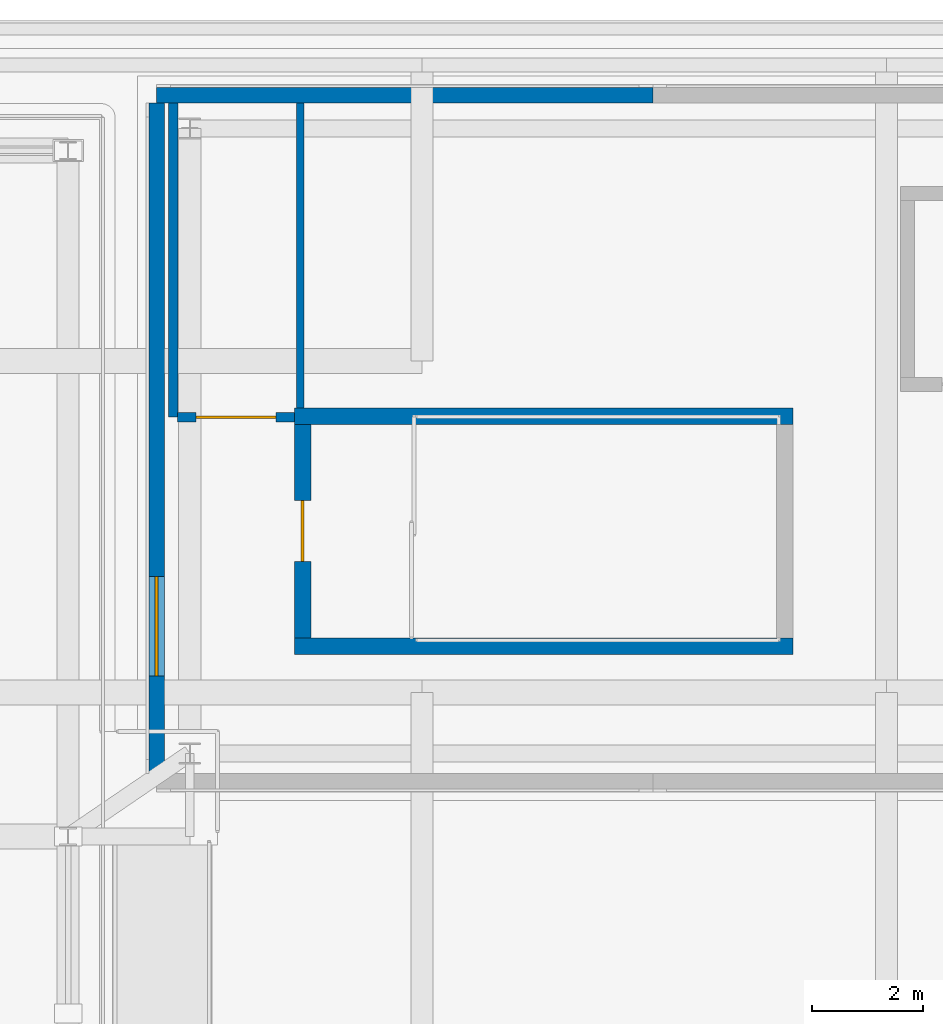
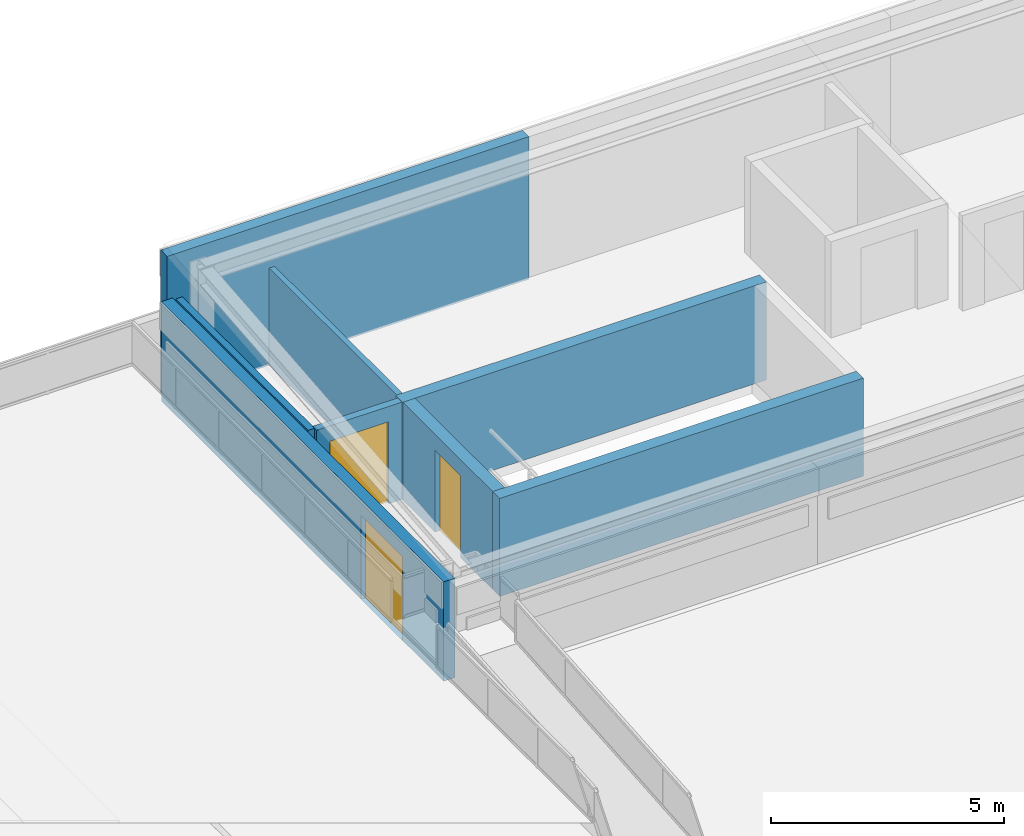
# One storey, part 8 of 14: 8 walls, 3 doors, 3 openings.
"""IFC4 building model written with IfcOpenShell, lengths in metres."""

from ifc_helpers import new_model, si_unit, direction, frame, frame_2d, origin, place, context, subcontext, project, spatial, rectangle, extrude, material, layer, layer_set, type_object, element, fill, save


model = new_model("IFC4")

# Units and contexts
model_context = context("Model", 3, precision=1e-05, world=origin(), true_north=direction((0.0, 1.0)))
body_context = subcontext(model_context, "Body", "Model", "MODEL_VIEW")
ifc_project = project(units=[si_unit("LENGTHUNIT", "METRE"), si_unit("AREAUNIT", "SQUARE_METRE"), si_unit("VOLUMEUNIT", "CUBIC_METRE"), si_unit("PLANEANGLEUNIT", "RADIAN"), si_unit("MASSUNIT", "GRAM", prefix="KILO")], contexts=[model_context])

# Site, building, storey
site_placement = place(None, origin())
site = spatial("IfcSite", under=ifc_project, at=site_placement, CompositionType="ELEMENT")
building_placement = place(site_placement, origin())
building = spatial("IfcBuilding", under=site, at=building_placement, Name="Selatvlak General Hospital", CompositionType="ELEMENT")
storey_placement = place(building_placement, frame((0.0, 0.0, 39.449951171875)))
storey = spatial("IfcBuildingStorey", under=building, at=storey_placement, Name="RF", CompositionType="ELEMENT", Elevation=39.449951171875)

# Wall
ifc_material_1 = material(Name="Precast concrete C40/50 - white Bauhaus spandrel", Category="concrete")
ifc_layer_1 = layer(ifc_material_1, 0.280029296875, Name="Precast concrete C40/50 - white Bauhaus spandrel", Category="concrete")
ifc_layer_set_1 = layer_set([ifc_layer_1], Name="Precast concrete C40/50 - white Bauhaus spandrel")
wall_type_1 = type_object("IfcWallType", Name="WALL-EW-02", PredefinedType="SOLIDWALL", material=ifc_layer_set_1)
wall_1_placement = place(storey_placement, frame((94.1708984375, 118.800048828125, 0.0), z_axis=(0.0, 0.0, 1.0), x_axis=(-1.0, 0.0, 0.0)))
element("IfcWall", 1, at=wall_1_placement, inside=storey, type_object=wall_type_1, Name="RF penthouse PENT-E wall N7", PredefinedType="SOLIDWALL", context=body_context, shape_type="SweptSolid", body=[
    extrude(rectangle(XDim=8.970947265625, YDim=0.280029296875, at=frame_2d((4.4853515625, 0.0))), origin(), (0.0, 0.0, 1.0), 3.739990234375),
])

# Wall, opening, door
wall_2_placement = place(storey_placement, frame((85.199951171875, 118.657958984375, 0.0), z_axis=(0.0, 0.0, 1.0), x_axis=(0.0, -1.0, 0.0)))
wall_2 = element("IfcWall", 2, at=wall_2_placement, inside=storey, type_object=wall_type_1, Name="RF penthouse PENT-E wall W1", PredefinedType="SOLIDWALL", context=body_context, shape_type="SweptSolid", body=[
    extrude(rectangle(XDim=12.115966796875, YDim=0.280029296875, at=frame_2d((6.05810546875, 0.0))), origin(), (0.0, 0.0, 1.0), 2.608154296875),
])
opening_1_placement = place(wall_2_placement, frame((10.358154296875, 0.0, 0.0), z_axis=(0.0, 0.0, 1.0), x_axis=(-1.0, 0.0, 0.0)))
opening_1 = element("IfcOpeningElement", 3, at=opening_1_placement, cuts=wall_2, Name="Opening DE-04", PredefinedType="OPENING", context=body_context, shape_type="SweptSolid", body=[
    extrude(rectangle(XDim=1.800048828125, YDim=2.199951171875, at=frame_2d((0.89990234375, 1.10009765625))), frame((0.0, 0.14990234375, 0.0), z_axis=(0.0, -1.0, 0.0), x_axis=(1.0, 0.0, 0.0)), (0.0, 0.0, 1.0), 0.300048828125),
])
ifc_material_2 = material(Name="Anodised aluminium terrace double door", Category="aluminium")
door_type_1 = type_object("IfcDoorType", Name="DOOR-DE-04", OperationType="DOUBLE_DOOR_SINGLE_SWING", PredefinedType="DOOR", material=ifc_material_2)
door_1_placement = place(opening_1_placement, origin())
door_1 = element("IfcDoor", 4, at=door_1_placement, inside=storey, type_object=door_type_1, Name="Emergency helipad trauma access east double door", OperationType="DOUBLE_DOOR_SINGLE_SWING", OverallHeight=2.199951171875, OverallWidth=1.800048828125, PredefinedType="DOOR", context=body_context, shape_type="SweptSolid", body=[
    extrude(rectangle(XDim=1.800048828125, YDim=2.199951171875, at=frame_2d((0.89990234375, 1.10009765625))), frame((0.0, 0.02490234375, 0.0), z_axis=(0.0, -1.0, 0.0), x_axis=(1.0, 0.0, 0.0)), (0.0, 0.0, 1.0), 0.050048828125),
])
fill(opening_1, door_1)

ifc_material_3 = material(Name="Acoustic gypsum stud partition")
ifc_layer_2 = layer(ifc_material_3, 0.179931640625, Name="Acoustic gypsum stud partition")
ifc_layer_set_2 = layer_set([ifc_layer_2], Name="Acoustic gypsum stud partition")
wall_type_2 = type_object("IfcWallType", Name="WALL-PT-01", PredefinedType="PARTITIONING", material=ifc_layer_set_2)
wall_3_placement = place(storey_placement, frame((87.68994140625, 112.97998046875, 0.0), z_axis=(0.0, 0.0, 1.0), x_axis=(-1.0, 0.0, 0.0)))
wall_3 = element("IfcWall", 5, at=wall_3_placement, inside=storey, type_object=wall_type_2, Name="RF clinical partition PT-RF-2241", PredefinedType="PARTITIONING", context=body_context, shape_type="SweptSolid", body=[
    extrude(rectangle(XDim=2.11083984375, YDim=0.179931640625, at=frame_2d((1.055419921875, 0.0))), origin(), (0.0, 0.0, 1.0), 2.550048828125),
])
opening_2_placement = place(wall_3_placement, frame((0.3310546875, 0.0, 0.0)))
opening_2 = element("IfcOpeningElement", 6, at=opening_2_placement, cuts=wall_3, Name="Opening D-12", PredefinedType="OPENING", context=body_context, shape_type="SweptSolid", body=[
    extrude(rectangle(XDim=1.449951171875, YDim=2.14990234375, at=frame_2d((0.72509765625, 1.074951171875))), frame((0.0, 0.099853515625, 0.0), z_axis=(0.0, -1.0, 0.0), x_axis=(1.0, 0.0, 0.0)), (0.0, 0.0, 1.0), 0.199951171875),
])
ifc_material_4 = material(Name="Isolation anteroom door")
door_type_2 = type_object("IfcDoorType", Name="DOOR-D-12", OperationType="NOTDEFINED", PredefinedType="DOOR", material=ifc_material_4)
door_2_placement = place(opening_2_placement, origin())
door_2 = element("IfcDoor", 7, at=door_2_placement, inside=storey, type_object=door_type_2, Name="RF Biomedical Telemetry Control Office door", OperationType="SINGLE_SWING_RIGHT", OverallHeight=2.14990234375, OverallWidth=1.449951171875, PredefinedType="DOOR", context=body_context, shape_type="SweptSolid", body=[
    extrude(rectangle(XDim=1.449951171875, YDim=2.14990234375, at=frame_2d((0.72509765625, 1.074951171875))), frame((0.0, 0.02490234375, 0.0), z_axis=(0.0, -1.0, 0.0), x_axis=(1.0, 0.0, 0.0)), (0.0, 0.0, 1.0), 0.050048828125),
])
fill(opening_2, door_2)

# Walls
ifc_layer_3 = layer(ifc_material_3, 0.1650390625, Name="Acoustic gypsum stud partition")
ifc_layer_set_3 = layer_set([ifc_layer_3], Name="Acoustic gypsum stud partition")
wall_type_3 = type_object("IfcWallType", Name="WALL-PT-02", PredefinedType="PARTITIONING", material=ifc_layer_set_3)
wall_4_placement = place(storey_placement, frame((85.5, 112.97998046875, 0.0), z_axis=(0.0, 0.0, 1.0), x_axis=(0.0, 1.0, 0.0)))
element("IfcWall", 8, at=wall_4_placement, inside=storey, type_object=wall_type_3, Name="RF clinical partition PT-RF-2239", PredefinedType="PARTITIONING", context=body_context, shape_type="SweptSolid", body=[
    extrude(rectangle(XDim=5.68310546875, YDim=0.1650390625, at=frame_2d((2.841552734375, 0.0))), origin(), (0.0, 0.0, 1.0), 2.550048828125),
])
ifc_material_5 = material(Name="Moisture-resistant clinical partition")
ifc_layer_4 = layer(ifc_material_5, 0.135009765625, Name="Moisture-resistant clinical partition")
ifc_layer_set_4 = layer_set([ifc_layer_4], Name="Moisture-resistant clinical partition")
wall_type_4 = type_object("IfcWallType", Name="WALL-PT-04", PredefinedType="PARTITIONING", material=ifc_layer_set_4)
wall_5_placement = place(storey_placement, frame((87.800048828125, 118.6630859375, 0.0), z_axis=(0.0, 0.0, 1.0), x_axis=(0.0, -1.0, 0.0)))
element("IfcWall", 9, at=wall_5_placement, inside=storey, type_object=wall_type_4, Name="RF clinical partition PT-RF-2240", PredefinedType="PARTITIONING", context=body_context, shape_type="SweptSolid", body=[
    extrude(rectangle(XDim=5.51611328125, YDim=0.135009765625, at=frame_2d((2.758056640625, 0.0))), origin(), (0.0, 0.0, 1.0), 2.550048828125),
])
ifc_material_6 = material(Name="Concrete C45/55", Category="concrete")
ifc_layer_5 = layer(ifc_material_6, 0.300048828125, Name="Concrete C45/55", Category="concrete")
ifc_layer_set_5 = layer_set([ifc_layer_5], Name="Concrete C45/55")
wall_type_5 = type_object("IfcWallType", Name="WALL-SW-02", PredefinedType="SHEAR", material=ifc_layer_set_5)
for number, where, z_axis, x_axis, name in (
    (10, (87.68994140625, 108.840087890625, 0.0), (0.0, 0.0, 1.0), (1.0, 0.0, 0.0), "ST-02 core shear wall RF S"),
    (11, (96.7099609375, 113.0, 0.0), (0.0, 0.0, 1.0), (-1.0, 0.0, 0.0), "ST-02 core shear wall RF N"),
):
    element("IfcWall", number, at=place(storey_placement, frame(where, z_axis=z_axis, x_axis=x_axis)), inside=storey, type_object=wall_type_5, Name=name, PredefinedType="SHEAR", context=body_context, shape_type="SweptSolid", body=[
        extrude(rectangle(XDim=9.02001953125, YDim=0.300048828125, at=frame_2d((4.510009765625, 0.0))), origin(), (0.0, 0.0, 1.0), 2.570068359375),
    ])

# Wall, opening, door
wall_6_placement = place(storey_placement, frame((87.840087890625, 112.85009765625, 0.0), z_axis=(0.0, 0.0, 1.0), x_axis=(0.0, -1.0, 0.0)))
wall_6 = element("IfcWall", 12, at=wall_6_placement, inside=storey, type_object=wall_type_5, Name="ST-02 core shear wall RF W", PredefinedType="SHEAR", context=body_context, shape_type="SweptSolid", body=[
    extrude(rectangle(XDim=3.860107421875, YDim=0.300048828125, at=frame_2d((1.93017578125, 0.0))), origin(), (0.0, 0.0, 1.0), 2.570068359375),
])
opening_3_placement = place(wall_6_placement, frame((1.3798828125, 0.0, 0.0)))
opening_3 = element("IfcOpeningElement", 13, at=opening_3_placement, cuts=wall_6, Name="Opening D-05", PredefinedType="OPENING", context=body_context, shape_type="SweptSolid", body=[
    extrude(rectangle(XDim=1.10009765625, YDim=2.14990234375, at=frame_2d((0.550048828125, 1.074951171875))), frame((0.0, 0.159912109375, 0.0), z_axis=(0.0, -1.0, 0.0), x_axis=(1.0, 0.0, 0.0)), (0.0, 0.0, 1.0), 0.320068359375),
])
ifc_material_7 = material(Name="Protected stair fire door")
door_type_3 = type_object("IfcDoorType", Name="DOOR-D-05", OperationType="NOTDEFINED", PredefinedType="DOOR", material=ifc_material_7)
door_3_placement = place(opening_3_placement, origin())
door_3 = element("IfcDoor", 14, at=door_3_placement, inside=storey, type_object=door_type_3, Name="ST-02 protected stair door on RF", OperationType="SINGLE_SWING_RIGHT", OverallHeight=2.14990234375, OverallWidth=1.10009765625, PredefinedType="DOOR", context=body_context, shape_type="SweptSolid", body=[
    extrude(rectangle(XDim=1.10009765625, YDim=2.14990234375, at=frame_2d((0.550048828125, 1.074951171875))), frame((0.0, 0.02490234375, 0.0), z_axis=(0.0, -1.0, 0.0), x_axis=(1.0, 0.0, 0.0)), (0.0, 0.0, 1.0), 0.050048828125),
])
fill(opening_3, door_3)

save(model, "model.ifc")
